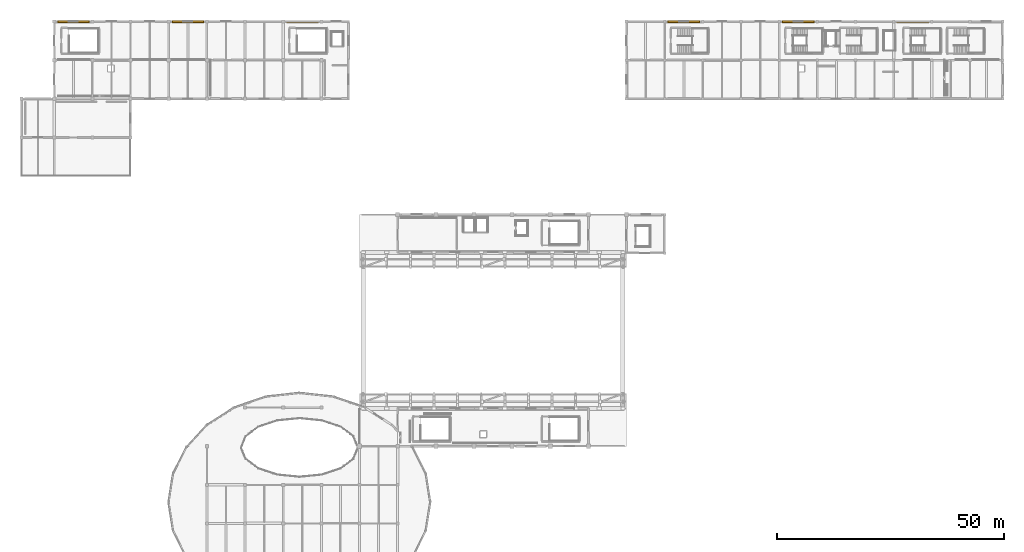
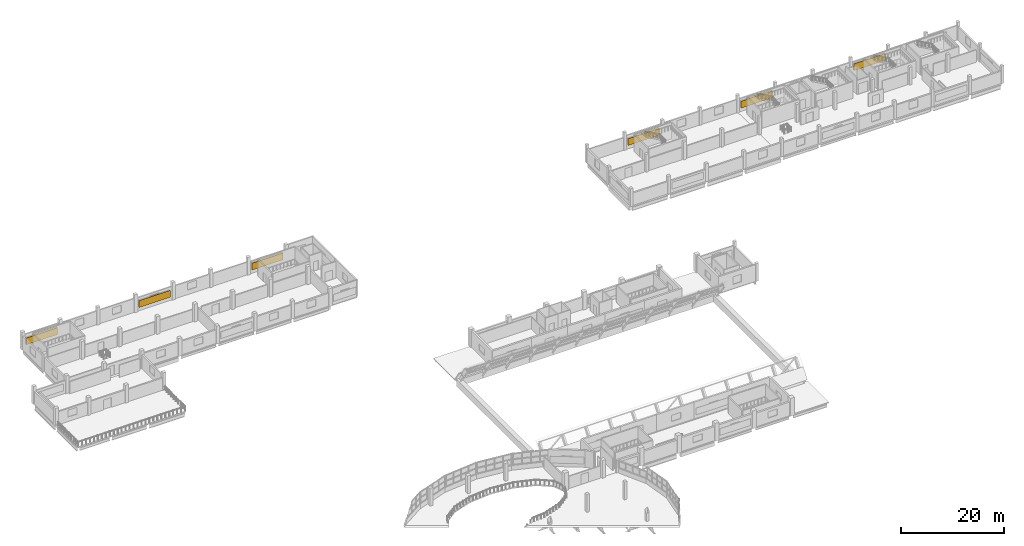
# One storey, part 52 of 52: 6 coverings.
"""IFC4 building model written with IfcOpenShell, lengths in metres."""

from ifc_helpers import new_model, si_unit, direction, frame, origin, origin_2d, place, context, subcontext, project, spatial, rectangle, extrude, material, layer, layer_set, type_object, element, save


model = new_model("IFC4")

# Units and contexts
model_context = context("Model", 3, precision=1e-05, world=origin(), true_north=direction((0.0, 1.0)))
body_context = subcontext(model_context, "Body", "Model", "MODEL_VIEW")
ifc_project = project(units=[si_unit("LENGTHUNIT", "METRE"), si_unit("AREAUNIT", "SQUARE_METRE"), si_unit("VOLUMEUNIT", "CUBIC_METRE"), si_unit("PLANEANGLEUNIT", "RADIAN"), si_unit("MASSUNIT", "GRAM", prefix="KILO")], contexts=[model_context])

# Site, building, storey
site_placement = place(None, origin())
site = spatial("IfcSite", under=ifc_project, at=site_placement, CompositionType="ELEMENT")
building_placement = place(site_placement, origin())
building = spatial("IfcBuilding", under=site, at=building_placement, Name="Solvento Point Concert Hall", CompositionType="ELEMENT")
storey_placement = place(building_placement, frame((0.0, 0.0, 19.5)))
storey = spatial("IfcBuildingStorey", under=building, at=storey_placement, Name="L04", CompositionType="ELEMENT", Elevation=19.5)

# Coverings
ifc_material = material(Name="Precast concrete C45/55", Category="concrete")
ifc_layer = layer(ifc_material, 0.159912109375)
ifc_layer_set = layer_set([ifc_layer], Name="Precast concrete C45/55")
covering_type = type_object("IfcCoveringType", Name="StormScreen_Precast", PredefinedType="CLADDING", material=ifc_layer_set)
for number, where, z_axis, x_axis, name in (
    (1, (145.800048828125, 136.0, 0.800048828125), (0.0, 0.0, 1.0), (1.0, 0.0, 0.0), "Perforated precast storm-baffle screen SCR-01"),
    (2, (171.0, 136.0, 0.800048828125), (0.0, 0.0, 1.0), (1.0, 0.0, 0.0), "Perforated precast storm-baffle screen SCR-01"),
    (3, (196.199951171875, 136.0, 0.800048828125), (0.0, 0.0, 1.0), (1.0, 0.0, 0.0), "Perforated precast storm-baffle screen SCR-01"),
):
    element("IfcCovering", number, at=place(storey_placement, frame(where, z_axis=z_axis, x_axis=x_axis)), inside=storey, type_object=covering_type, Name=name, PredefinedType="CLADDING", context=body_context, shape_type="SweptSolid", body=[
        extrude(rectangle(XDim=7.0400390625, YDim=0.419921875, at=origin_2d()), origin(), (0.0, 0.0, 1.0), 1.60009765625),
    ])
for number, where, z_axis, x_axis, name in (
    (4, (11.39990234375, 136.0, 0.800048828125), (0.0, 0.0, 1.0), (1.0, 0.0, 0.0), "Perforated precast storm-baffle screen SCR-01"),
    (5, (36.60009765625, 136.0, 0.800048828125), (0.0, 0.0, 1.0), (1.0, 0.0, 0.0), "Perforated precast storm-baffle screen SCR-01"),
    (6, (61.800048828125, 136.0, 0.800048828125), (0.0, 0.0, 1.0), (1.0, 0.0, 0.0), "Perforated precast storm-baffle screen SCR-01"),
):
    element("IfcCovering", number, at=place(storey_placement, frame(where, z_axis=z_axis, x_axis=x_axis)), inside=storey, type_object=covering_type, Name=name, PredefinedType="CLADDING", context=body_context, shape_type="SweptSolid", body=[
        extrude(rectangle(XDim=6.93994140625, YDim=0.419921875, at=origin_2d()), origin(), (0.0, 0.0, 1.0), 1.60009765625),
    ])

save(model, "model.ifc")
